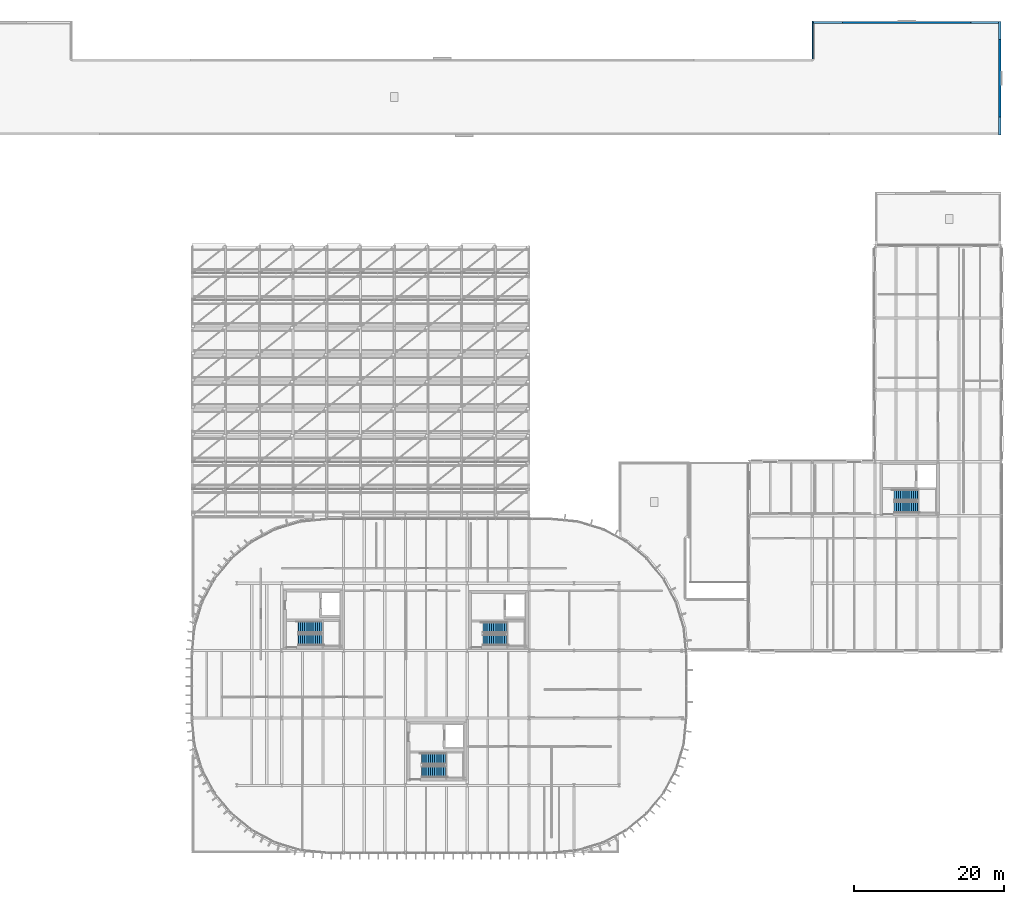
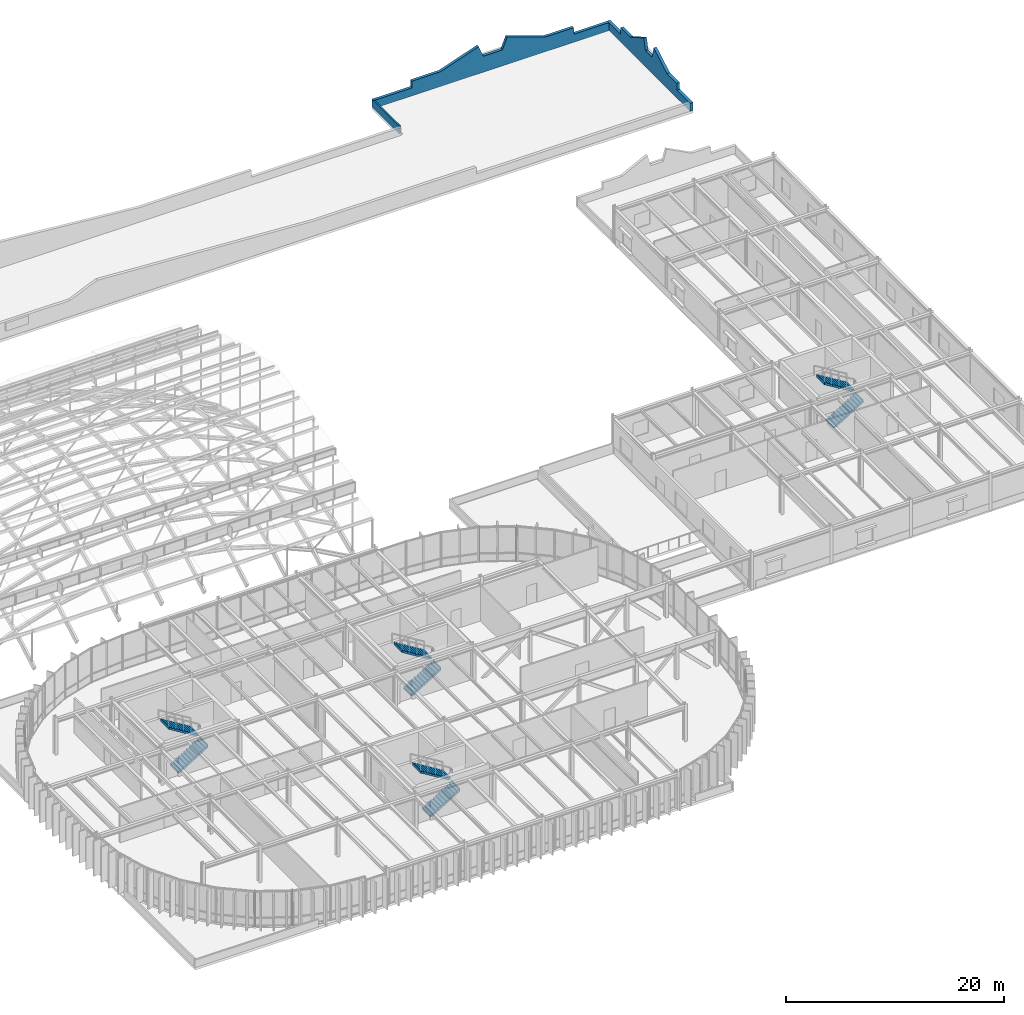
# One storey, part 59 of 69: 8 stair flights, 3 walls, 4 elements without a shape of their own.
"""IFC4 building model written with IfcOpenShell, lengths in metres."""

from ifc_helpers import new_model, si_unit, direction, frame, frame_2d, origin, place, context, subcontext, project, spatial, polyline, rectangle, outline, extrude, material, layer, layer_set, type_object, element, aggregate, save


model = new_model("IFC4")

# Units and contexts
model_context = context("Model", 3, precision=1e-05, world=origin(), true_north=direction((0.0, 1.0)))
body_context = subcontext(model_context, "Body", "Model", "MODEL_VIEW")
ifc_project = project(units=[si_unit("LENGTHUNIT", "METRE"), si_unit("AREAUNIT", "SQUARE_METRE"), si_unit("VOLUMEUNIT", "CUBIC_METRE"), si_unit("PLANEANGLEUNIT", "RADIAN"), si_unit("MASSUNIT", "GRAM", prefix="KILO")], contexts=[model_context])

# Site, building, storey
site_placement = place(None, origin())
site = spatial("IfcSite", under=ifc_project, at=site_placement, CompositionType="ELEMENT")
building_placement = place(site_placement, origin())
building = spatial("IfcBuilding", under=site, at=building_placement, Name="Montealbar Specialist Clinic", CompositionType="ELEMENT")
storey_placement = place(building_placement, frame((0.0, 0.0, 9.60009765625)))
storey = spatial("IfcBuildingStorey", under=building, at=storey_placement, Name="L02", CompositionType="ELEMENT", Elevation=9.60009765625)

# Walls
ifc_material_1 = material(Name="Guadarrama granite ashlar", Category="masonry")
ifc_layer_1 = layer(ifc_material_1, 0.159912109375, Name="Guadarrama granite ashlar", Category="masonry")
ifc_layer_set_1 = layer_set([ifc_layer_1], Name="Guadarrama granite ashlar")
wall_type_1 = type_object("IfcWallType", Name="WL-PARAPET-160", PredefinedType="PARAPET", material=ifc_layer_set_1)
wall_1_placement = place(storey_placement, frame((136.8798828125, 106.031005859375, 0.0), z_axis=(0.0, 0.0, 1.0), x_axis=(0.0, 1.0, 0.0)))
element("IfcWall", 1, at=wall_1_placement, inside=storey, type_object=wall_type_1, Name="Roof Parapet L02-013", PredefinedType="PARAPET", context=body_context, shape_type="SweptSolid", body=[
    extrude(rectangle(XDim=4.968994140625, YDim=0.159912109375, at=frame_2d((2.484375, 0.0))), origin(), (0.0, 0.0, 1.0), 0.849853515625),
])
ifc_material_2 = material(Name="Terracotta architectural cladding", Category="masonry")
ifc_layer_2 = layer(ifc_material_2, 0.300048828125, Name="Terracotta architectural cladding", Category="masonry")
ifc_layer_set_2 = layer_set([ifc_layer_2], Name="Terracotta architectural cladding")
wall_type_2 = type_object("IfcWallType", Name="WL-PEDIMENT-300", PredefinedType="PARAPET", material=ifc_layer_set_2)
wall_2_placement = place(storey_placement, frame((136.800048828125, 110.830078125, 0.0), z_axis=(0.0, 0.0, 1.0), x_axis=(1.0, 0.0, 0.0)))
element("IfcWall", 2, at=wall_2_placement, inside=storey, type_object=wall_type_2, Name="Postmodern Broken-Pediment Gable Parapet L02-02", PredefinedType="PARAPET", context=body_context, shape_type="SweptSolid", body=[
    extrude(outline(polyline([(0.0, 0.0), (25.199951171875, 0.0), (25.199951171875, 0.89990234375), (21.16796875, 0.89990234375), (21.14794921875, 1.64990234375), (18.14404296875, 1.64990234375), (14.112060546875, 3.0498046875), (13.60791015625, 1.7998046875), (11.592041015625, 1.7998046875), (11.087890625, 3.0498046875), (7.055908203125, 1.64990234375), (4.052001953125, 1.64990234375), (4.031982421875, 0.89990234375), (0.0, 0.89990234375), (0.0, 0.0)])), frame((0.0, 0.14990234375, 0.0), z_axis=(0.0, -1.0, 0.0), x_axis=(1.0, 0.0, 0.0)), (0.0, 0.0, 1.0), 0.300048828125),
])
wall_3_placement = place(storey_placement, frame((161.830078125, 111.0, 0.0), z_axis=(0.0, 0.0, 1.0), x_axis=(0.0, -1.0, 0.0)))
element("IfcWall", 3, at=wall_3_placement, inside=storey, type_object=wall_type_2, Name="Postmodern Broken-Pediment Gable Parapet L02-03", PredefinedType="PARAPET", context=body_context, shape_type="SweptSolid", body=[
    extrude(outline(polyline([(0.0, 0.0), (15.199951171875, 0.0), (15.199951171875, 0.89990234375), (12.76806640625, 0.89990234375), (12.748046875, 1.64990234375), (10.944091796875, 1.64990234375), (8.511962890625, 3.0498046875), (8.2080078125, 1.7998046875), (6.991943359375, 1.7998046875), (6.68798828125, 3.0498046875), (4.256103515625, 1.64990234375), (2.451904296875, 1.64990234375), (2.431884765625, 0.89990234375), (0.0, 0.89990234375), (0.0, 0.0)])), frame((0.0, 0.14990234375, 0.0), z_axis=(0.0, -1.0, 0.0), x_axis=(1.0, 0.0, 0.0)), (0.0, 0.0, 1.0), 0.300048828125),
])

# Stair, stair flights
ifc_material_3 = material(Name="Concrete C35/45", Category="concrete")
stair_type_1 = type_object("IfcStairType", Name="STAIR-HT-07", PredefinedType="HALF_TURN_STAIR", material=ifc_material_3)
stair_1_placement = place(storey_placement, origin())
stair_1 = element("IfcStair", 4, at=stair_1_placement, inside=storey, type_object=stair_type_1, Name="L02 Protected Exit Stair Core C3", PredefinedType="HALF_TURN_STAIR")
stair_flight_type_1 = type_object("IfcStairFlightType", Name="FLIGHT-HT-07", PredefinedType="STRAIGHT", material=ifc_material_3)
stair_flight_1_placement = place(storey_placement, frame((68.199951171875, 28.449951171875, 0.0), z_axis=(0.0, 0.0, 1.0), x_axis=(1.0, 0.0, 0.0)))
stair_flight_1 = element("IfcStairFlight", 5, at=stair_flight_1_placement, type_object=stair_flight_type_1, Name="ST-03 flight 1", NumberOfRisers=12, NumberOfTreads=11, PredefinedType="STRAIGHT", RiserHeight=0.175, TreadLength=0.285, context=body_context, shape_type="SweptSolid", body=[
    extrude(outline(polyline([(-0.02490234375, 0.0), (-0.02490234375, 0.0400390625), (0.0, 0.0400390625), (0.0, 0.175048828125), (0.284912109375, 0.175048828125), (0.284912109375, 0.35009765625), (0.570068359375, 0.35009765625), (0.570068359375, 0.52490234375), (0.85498046875, 0.52490234375), (0.85498046875, 0.699951171875), (1.139892578125, 0.699951171875), (1.139892578125, 0.875), (1.425048828125, 0.875), (1.425048828125, 1.050048828125), (1.7099609375, 1.050048828125), (1.7099609375, 1.22509765625), (1.9951171875, 1.22509765625), (1.9951171875, 1.39990234375), (2.280029296875, 1.39990234375), (2.280029296875, 1.574951171875), (2.56494140625, 1.574951171875), (2.56494140625, 1.75), (2.85009765625, 1.75), (2.85009765625, 1.925048828125), (3.135009765625, 1.925048828125), (3.135009765625, 2.10009765625), (3.159912109375, 2.10009765625), (3.159912109375, 1.7490234375), (3.135009765625, 1.7490234375), (0.286376953125, 0.0), (-0.02490234375, 0.0)])), frame((0.0, 0.75, 0.0), z_axis=(0.0, -1.0, 0.0), x_axis=(1.0, 0.0, 0.0)), (0.0, 0.0, 1.0), 1.5),
])
stair_flight_2_placement = place(storey_placement, frame((71.3349609375, 30.14990234375, 2.099853515625), z_axis=(0.0, 0.0, 1.0), x_axis=(-1.0, 0.0, 0.0)))
stair_flight_2 = element("IfcStairFlight", 6, at=stair_flight_2_placement, type_object=stair_flight_type_1, Name="ST-03 flight 2", NumberOfRisers=12, NumberOfTreads=11, PredefinedType="STRAIGHT", RiserHeight=0.175, TreadLength=0.285, context=body_context, shape_type="SweptSolid", body=[
    extrude(outline(polyline([(-0.02490234375, 0.0), (-0.02490234375, 0.0400390625), (0.0, 0.0400390625), (0.0, 0.175048828125), (0.284912109375, 0.175048828125), (0.284912109375, 0.35009765625), (0.570068359375, 0.35009765625), (0.570068359375, 0.52490234375), (0.85498046875, 0.52490234375), (0.85498046875, 0.699951171875), (1.139892578125, 0.699951171875), (1.139892578125, 0.875), (1.425048828125, 0.875), (1.425048828125, 1.050048828125), (1.7099609375, 1.050048828125), (1.7099609375, 1.22509765625), (1.9951171875, 1.22509765625), (1.9951171875, 1.39990234375), (2.280029296875, 1.39990234375), (2.280029296875, 1.574951171875), (2.56494140625, 1.574951171875), (2.56494140625, 1.75), (2.85009765625, 1.75), (2.85009765625, 1.925048828125), (3.135009765625, 1.925048828125), (3.135009765625, 2.10009765625), (3.159912109375, 2.10009765625), (3.159912109375, 1.7490234375), (3.135009765625, 1.7490234375), (0.286376953125, 0.0), (-0.02490234375, 0.0)])), frame((0.0, 0.75, 0.0), z_axis=(0.0, -1.0, 0.0), x_axis=(1.0, 0.0, 0.0)), (0.0, 0.0, 1.0), 1.5),
])
aggregate(stair_1, [stair_flight_1, stair_flight_2])

stair_2_placement = place(storey_placement, origin())
stair_2 = element("IfcStair", 7, at=stair_2_placement, inside=storey, type_object=stair_type_1, Name="L02 Protected Exit Stair Core C4", PredefinedType="HALF_TURN_STAIR")
stair_flight_3_placement = place(storey_placement, frame((84.699951171875, 10.85009765625, 0.0), z_axis=(0.0, 0.0, 1.0), x_axis=(1.0, 0.0, 0.0)))
stair_flight_3 = element("IfcStairFlight", 8, at=stair_flight_3_placement, type_object=stair_flight_type_1, Name="ST-04 flight 1", NumberOfRisers=12, NumberOfTreads=11, PredefinedType="STRAIGHT", RiserHeight=0.175, TreadLength=0.285, context=body_context, shape_type="SweptSolid", body=[
    extrude(outline(polyline([(-0.02490234375, 0.0), (-0.02490234375, 0.0400390625), (0.0, 0.0400390625), (0.0, 0.175048828125), (0.284912109375, 0.175048828125), (0.284912109375, 0.35009765625), (0.570068359375, 0.35009765625), (0.570068359375, 0.52490234375), (0.85498046875, 0.52490234375), (0.85498046875, 0.699951171875), (1.139892578125, 0.699951171875), (1.139892578125, 0.875), (1.425048828125, 0.875), (1.425048828125, 1.050048828125), (1.7099609375, 1.050048828125), (1.7099609375, 1.22509765625), (1.9951171875, 1.22509765625), (1.9951171875, 1.39990234375), (2.280029296875, 1.39990234375), (2.280029296875, 1.574951171875), (2.56494140625, 1.574951171875), (2.56494140625, 1.75), (2.85009765625, 1.75), (2.85009765625, 1.925048828125), (3.135009765625, 1.925048828125), (3.135009765625, 2.10009765625), (3.159912109375, 2.10009765625), (3.159912109375, 1.7490234375), (3.135009765625, 1.7490234375), (0.286376953125, 0.0), (-0.02490234375, 0.0)])), frame((0.0, 0.75, 0.0), z_axis=(0.0, -1.0, 0.0), x_axis=(1.0, 0.0, 0.0)), (0.0, 0.0, 1.0), 1.5),
])
stair_flight_4_placement = place(storey_placement, frame((87.8349609375, 12.550048828125, 2.099853515625), z_axis=(0.0, 0.0, 1.0), x_axis=(-1.0, 0.0, 0.0)))
stair_flight_4 = element("IfcStairFlight", 9, at=stair_flight_4_placement, type_object=stair_flight_type_1, Name="ST-04 flight 2", NumberOfRisers=12, NumberOfTreads=11, PredefinedType="STRAIGHT", RiserHeight=0.175, TreadLength=0.285, context=body_context, shape_type="SweptSolid", body=[
    extrude(outline(polyline([(-0.02490234375, 0.0), (-0.02490234375, 0.0400390625), (0.0, 0.0400390625), (0.0, 0.175048828125), (0.284912109375, 0.175048828125), (0.284912109375, 0.35009765625), (0.570068359375, 0.35009765625), (0.570068359375, 0.52490234375), (0.85498046875, 0.52490234375), (0.85498046875, 0.699951171875), (1.139892578125, 0.699951171875), (1.139892578125, 0.875), (1.425048828125, 0.875), (1.425048828125, 1.050048828125), (1.7099609375, 1.050048828125), (1.7099609375, 1.22509765625), (1.9951171875, 1.22509765625), (1.9951171875, 1.39990234375), (2.280029296875, 1.39990234375), (2.280029296875, 1.574951171875), (2.56494140625, 1.574951171875), (2.56494140625, 1.75), (2.85009765625, 1.75), (2.85009765625, 1.925048828125), (3.135009765625, 1.925048828125), (3.135009765625, 2.10009765625), (3.159912109375, 2.10009765625), (3.159912109375, 1.7490234375), (3.135009765625, 1.7490234375), (0.286376953125, 0.0), (-0.02490234375, 0.0)])), frame((0.0, 0.75, 0.0), z_axis=(0.0, -1.0, 0.0), x_axis=(1.0, 0.0, 0.0)), (0.0, 0.0, 1.0), 1.5),
])
aggregate(stair_2, [stair_flight_3, stair_flight_4])

stair_type_2 = type_object("IfcStairType", Name="STAIR-HT-08", PredefinedType="HALF_TURN_STAIR", material=ifc_material_3)
stair_3_placement = place(storey_placement, origin())
stair_3 = element("IfcStair", 10, at=stair_3_placement, inside=storey, type_object=stair_type_2, Name="L02 Protected Exit Stair Core C5", PredefinedType="HALF_TURN_STAIR")
stair_flight_type_2 = type_object("IfcStairFlightType", Name="FLIGHT-HT-08", PredefinedType="STRAIGHT", material=ifc_material_3)
stair_flight_5_placement = place(storey_placement, frame((92.85009765625, 28.425048828125, 0.0), z_axis=(0.0, 0.0, 1.0), x_axis=(1.0, 0.0, 0.0)))
stair_flight_5 = element("IfcStairFlight", 11, at=stair_flight_5_placement, type_object=stair_flight_type_2, Name="ST-05 flight 1", NumberOfRisers=12, NumberOfTreads=11, PredefinedType="STRAIGHT", RiserHeight=0.175, TreadLength=0.285, context=body_context, shape_type="SweptSolid", body=[
    extrude(outline(polyline([(-0.02490234375, 0.0), (-0.02490234375, 0.0400390625), (0.0, 0.0400390625), (0.0, 0.175048828125), (0.284912109375, 0.175048828125), (0.284912109375, 0.35009765625), (0.570068359375, 0.35009765625), (0.570068359375, 0.52490234375), (0.85498046875, 0.52490234375), (0.85498046875, 0.699951171875), (1.139892578125, 0.699951171875), (1.139892578125, 0.875), (1.425048828125, 0.875), (1.425048828125, 1.050048828125), (1.7099609375, 1.050048828125), (1.7099609375, 1.22509765625), (1.9951171875, 1.22509765625), (1.9951171875, 1.39990234375), (2.280029296875, 1.39990234375), (2.280029296875, 1.574951171875), (2.56494140625, 1.574951171875), (2.56494140625, 1.75), (2.85009765625, 1.75), (2.85009765625, 1.925048828125), (3.135009765625, 1.925048828125), (3.135009765625, 2.10009765625), (3.159912109375, 2.10009765625), (3.159912109375, 1.7490234375), (3.135009765625, 1.7490234375), (0.286376953125, 0.0), (-0.02490234375, 0.0)])), frame((0.0, 0.72509765625, 0.0), z_axis=(0.0, -1.0, 0.0), x_axis=(1.0, 0.0, 0.0)), (0.0, 0.0, 1.0), 1.449951171875),
])
stair_flight_6_placement = place(storey_placement, frame((95.985107421875, 30.074951171875, 2.099853515625), z_axis=(0.0, 0.0, 1.0), x_axis=(-1.0, 0.0, 0.0)))
stair_flight_6 = element("IfcStairFlight", 12, at=stair_flight_6_placement, type_object=stair_flight_type_2, Name="ST-05 flight 2", NumberOfRisers=12, NumberOfTreads=11, PredefinedType="STRAIGHT", RiserHeight=0.175, TreadLength=0.285, context=body_context, shape_type="SweptSolid", body=[
    extrude(outline(polyline([(-0.02490234375, 0.0), (-0.02490234375, 0.0400390625), (0.0, 0.0400390625), (0.0, 0.175048828125), (0.284912109375, 0.175048828125), (0.284912109375, 0.35009765625), (0.570068359375, 0.35009765625), (0.570068359375, 0.52490234375), (0.85498046875, 0.52490234375), (0.85498046875, 0.699951171875), (1.139892578125, 0.699951171875), (1.139892578125, 0.875), (1.425048828125, 0.875), (1.425048828125, 1.050048828125), (1.7099609375, 1.050048828125), (1.7099609375, 1.22509765625), (1.9951171875, 1.22509765625), (1.9951171875, 1.39990234375), (2.280029296875, 1.39990234375), (2.280029296875, 1.574951171875), (2.56494140625, 1.574951171875), (2.56494140625, 1.75), (2.85009765625, 1.75), (2.85009765625, 1.925048828125), (3.135009765625, 1.925048828125), (3.135009765625, 2.10009765625), (3.159912109375, 2.10009765625), (3.159912109375, 1.7490234375), (3.135009765625, 1.7490234375), (0.286376953125, 0.0), (-0.02490234375, 0.0)])), frame((0.0, 0.72509765625, 0.0), z_axis=(0.0, -1.0, 0.0), x_axis=(1.0, 0.0, 0.0)), (0.0, 0.0, 1.0), 1.449951171875),
])
aggregate(stair_3, [stair_flight_5, stair_flight_6])

stair_4_placement = place(storey_placement, origin())
stair_4 = element("IfcStair", 13, at=stair_4_placement, inside=storey, type_object=stair_type_2, Name="L02 Protected Exit Stair Core C6", PredefinedType="HALF_TURN_STAIR")
stair_flight_7_placement = place(storey_placement, frame((147.75, 46.125, 0.0), z_axis=(0.0, 0.0, 1.0), x_axis=(1.0, 0.0, 0.0)))
stair_flight_7 = element("IfcStairFlight", 14, at=stair_flight_7_placement, type_object=stair_flight_type_2, Name="ST-06 flight 1", NumberOfRisers=12, NumberOfTreads=11, PredefinedType="STRAIGHT", RiserHeight=0.175, TreadLength=0.285, context=body_context, shape_type="SweptSolid", body=[
    extrude(outline(polyline([(-0.02490234375, 0.0), (-0.02490234375, 0.0400390625), (0.0, 0.0400390625), (0.0, 0.175048828125), (0.284912109375, 0.175048828125), (0.284912109375, 0.35009765625), (0.570068359375, 0.35009765625), (0.570068359375, 0.52490234375), (0.85498046875, 0.52490234375), (0.85498046875, 0.699951171875), (1.139892578125, 0.699951171875), (1.139892578125, 0.875), (1.425048828125, 0.875), (1.425048828125, 1.050048828125), (1.7099609375, 1.050048828125), (1.7099609375, 1.22509765625), (1.9951171875, 1.22509765625), (1.9951171875, 1.39990234375), (2.280029296875, 1.39990234375), (2.280029296875, 1.574951171875), (2.56494140625, 1.574951171875), (2.56494140625, 1.75), (2.85009765625, 1.75), (2.85009765625, 1.925048828125), (3.135009765625, 1.925048828125), (3.135009765625, 2.10009765625), (3.159912109375, 2.10009765625), (3.159912109375, 1.7490234375), (3.135009765625, 1.7490234375), (0.286376953125, 0.0), (-0.02490234375, 0.0)])), frame((0.0, 0.72509765625, 0.0), z_axis=(0.0, -1.0, 0.0), x_axis=(1.0, 0.0, 0.0)), (0.0, 0.0, 1.0), 1.449951171875),
])
stair_flight_8_placement = place(storey_placement, frame((150.885009765625, 47.77490234375, 2.099853515625), z_axis=(0.0, 0.0, 1.0), x_axis=(-1.0, 0.0, 0.0)))
stair_flight_8 = element("IfcStairFlight", 15, at=stair_flight_8_placement, type_object=stair_flight_type_2, Name="ST-06 flight 2", NumberOfRisers=12, NumberOfTreads=11, PredefinedType="STRAIGHT", RiserHeight=0.175, TreadLength=0.285, context=body_context, shape_type="SweptSolid", body=[
    extrude(outline(polyline([(-0.02490234375, 0.0), (-0.02490234375, 0.0400390625), (0.0, 0.0400390625), (0.0, 0.175048828125), (0.284912109375, 0.175048828125), (0.284912109375, 0.35009765625), (0.570068359375, 0.35009765625), (0.570068359375, 0.52490234375), (0.85498046875, 0.52490234375), (0.85498046875, 0.699951171875), (1.139892578125, 0.699951171875), (1.139892578125, 0.875), (1.425048828125, 0.875), (1.425048828125, 1.050048828125), (1.7099609375, 1.050048828125), (1.7099609375, 1.22509765625), (1.9951171875, 1.22509765625), (1.9951171875, 1.39990234375), (2.280029296875, 1.39990234375), (2.280029296875, 1.574951171875), (2.56494140625, 1.574951171875), (2.56494140625, 1.75), (2.85009765625, 1.75), (2.85009765625, 1.925048828125), (3.135009765625, 1.925048828125), (3.135009765625, 2.10009765625), (3.159912109375, 2.10009765625), (3.159912109375, 1.7490234375), (3.135009765625, 1.7490234375), (0.286376953125, 0.0), (-0.02490234375, 0.0)])), frame((0.0, 0.72509765625, 0.0), z_axis=(0.0, -1.0, 0.0), x_axis=(1.0, 0.0, 0.0)), (0.0, 0.0, 1.0), 1.449951171875),
])
aggregate(stair_4, [stair_flight_7, stair_flight_8])

save(model, "model.ifc")
